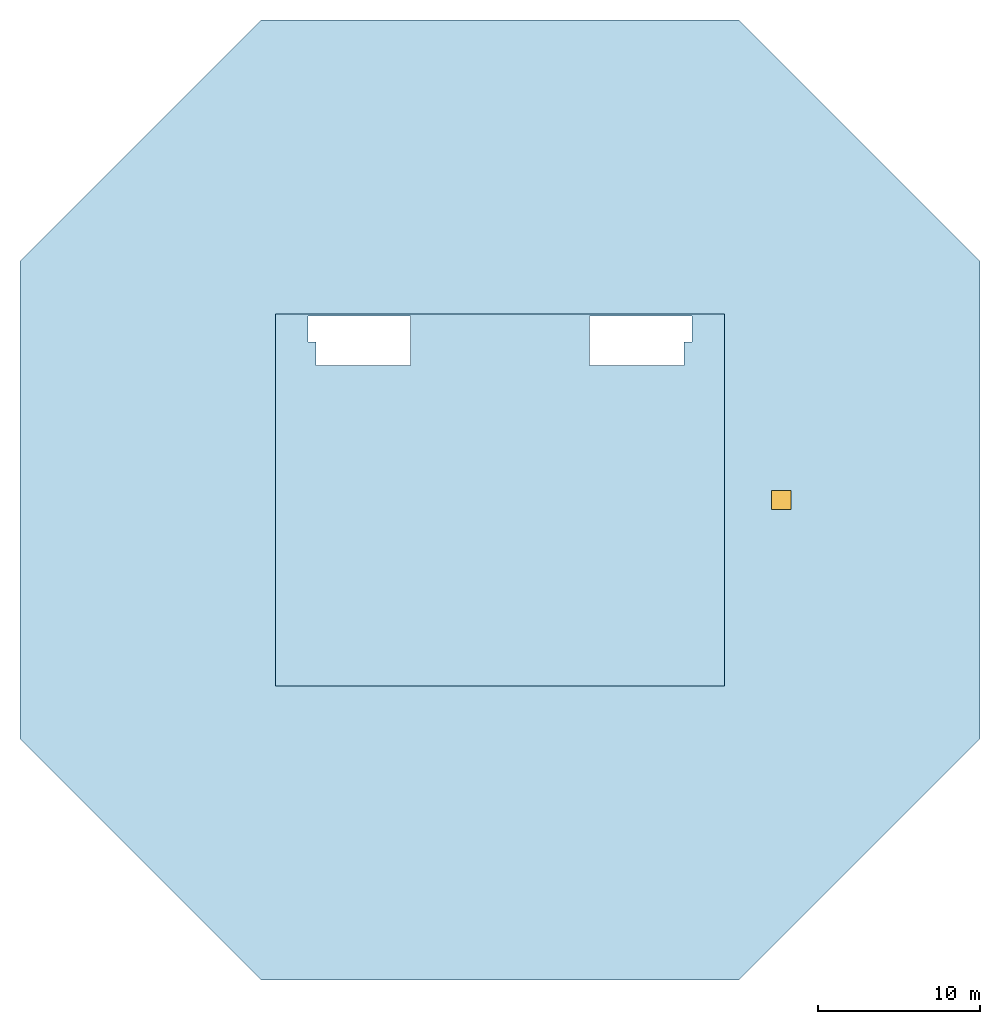
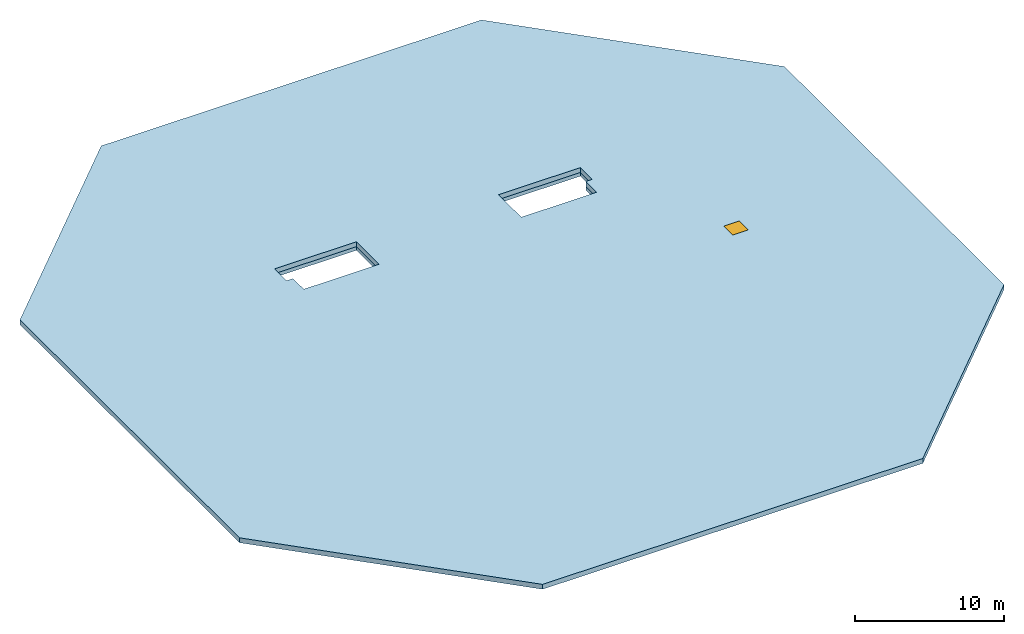
"""IFC4 building model written with IfcOpenShell, lengths in metres."""

from ifc_helpers import new_model, si_unit, direction, frame, origin, origin_2d, place, context, subcontext, project, spatial, polyline, rectangle, outline, extrude, material, layer, layer_set, type_object, element, fill, save


model = new_model("IFC4")

# Units and contexts
model_context = context("Model", 3, precision=1e-05, world=origin(), true_north=direction((0.0, 1.0)))
body_context = subcontext(model_context, "Body", "Model", "MODEL_VIEW")
ifc_project = project(units=[si_unit("LENGTHUNIT", "METRE"), si_unit("AREAUNIT", "SQUARE_METRE"), si_unit("VOLUMEUNIT", "CUBIC_METRE"), si_unit("PLANEANGLEUNIT", "RADIAN"), si_unit("MASSUNIT", "GRAM", prefix="KILO")], contexts=[model_context])

# Site, building, storey
site_placement = place(None, origin())
site = spatial("IfcSite", under=ifc_project, at=site_placement, CompositionType="ELEMENT")
building_placement = place(site_placement, origin())
building = spatial("IfcBuilding", under=site, at=building_placement, Name="Msitu Wima Residences", CompositionType="ELEMENT")
storey_1_placement = place(building_placement, frame((0.0, 0.0, 327.10009765625)))
storey_1 = spatial("IfcBuildingStorey", under=building, at=storey_1_placement, Name="ROOF", CompositionType="ELEMENT", Elevation=327.10009765625)

# Slab, opening
ifc_material_1 = material(Name="Concrete C40/50", Category="concrete")
ifc_layer_1 = layer(ifc_material_1, 0.39990234375)
ifc_layer_set_1 = layer_set([ifc_layer_1], Name="Concrete C40/50")
slab_type_1 = type_object("IfcSlabType", Name="Canopy roof slab CR400", PredefinedType="ROOF", material=ifc_layer_set_1)
slab_1_placement = place(storey_1_placement, frame((0.0, 0.0, -0.400146484375)))
slab_1 = element("IfcSlab", 1, at=slab_1_placement, inside=storey_1, type_object=slab_type_1, Name="Canopy roof", PredefinedType="ROOF", context=body_context, shape_type="SweptSolid", body=[
    extrude(outline(polyline([(14.772705078125, -29.699951171875), (-14.772705078125, -29.699951171875), (-29.699951171875, -14.772705078125), (-29.699951171875, 14.772705078125), (-14.772705078125, 29.699951171875), (14.772705078125, 29.699951171875), (29.699951171875, 14.772705078125), (29.699951171875, -14.772705078125), (14.772705078125, -29.699951171875)]), holes=[polyline([(-11.87451171875, 11.375), (-11.87451171875, 9.77490234375), (-11.375, 9.77490234375), (-11.375, 8.324951171875), (-5.52490234375, 8.324951171875), (-5.52490234375, 11.375), (-11.87451171875, 11.375)]), polyline([(5.52490234375, 8.324951171875), (11.375, 8.324951171875), (11.375, 9.77490234375), (11.87451171875, 9.77490234375), (11.87451171875, 11.375), (5.52490234375, 11.375), (5.52490234375, 8.324951171875)])]), origin(), (0.0, 0.0, 1.0), 0.400146484375),
])
opening_placement = place(slab_1_placement, frame((17.39990234375, 0.0, 0.0)))
opening = element("IfcOpeningElement", 2, at=opening_placement, cuts=slab_1, Name="Opening H1", PredefinedType="OPENING", context=body_context, shape_type="SweptSolid", body=[
    extrude(rectangle(XDim=1.199951171875, YDim=1.199951171875, at=origin_2d()), origin(), (0.0, 0.0, 1.0), 0.400146484375),
])

# Storey
storey_2_placement = place(building_placement, frame((0.0, 0.0, 320.10009765625)))
storey_2 = spatial("IfcBuildingStorey", under=building, at=storey_2_placement, Name="L74", CompositionType="ELEMENT", Elevation=320.10009765625)

# Window
ifc_material_2 = material(Name="Galvanised steel insulated hatch", Category="steel")
window_type = type_object("IfcWindowType", Name="Roof access hatch H1200", PartitioningType="SINGLE_PANEL", PredefinedType="SKYLIGHT", material=ifc_material_2)
window_placement = place(opening_placement, frame((0.0, 0.0, 0.35009765625)))
window = element("IfcWindow", 3, at=window_placement, inside=storey_2, type_object=window_type, Name="Roof access hatch", OverallHeight=1.199951171875, OverallWidth=1.199951171875, PartitioningType="SINGLE_PANEL", PredefinedType="SKYLIGHT", context=body_context, shape_type="SweptSolid", body=[
    extrude(rectangle(XDim=1.199951171875, YDim=1.199951171875, at=origin_2d()), origin(), (0.0, 0.0, 1.0), 0.050048828125),
])

fill(opening, window)

# Slab
ifc_material_3 = material(Name="Concrete C50/60", Category="concrete")
ifc_layer_2 = layer(ifc_material_3, 0.300048828125)
ifc_layer_set_2 = layer_set([ifc_layer_2], Name="Concrete C50/60")
slab_type_2 = type_object("IfcSlabType", Name="Core roof CR300", PredefinedType="ROOF", material=ifc_layer_set_2)
slab_2_placement = place(storey_1_placement, frame((0.0, 0.0, -0.7001953125)))
element("IfcSlab", 4, at=slab_2_placement, inside=storey_1, type_object=slab_type_2, Name="Core roof", PredefinedType="ROOF", context=body_context, shape_type="SweptSolid", body=[
    extrude(outline(polyline([(-13.89990234375, -11.5), (13.89990234375, -11.5), (13.89990234375, 11.5), (-13.89990234375, 11.5), (-13.89990234375, -11.5)]), holes=[polyline([(-11.87451171875, 11.375), (-5.52490234375, 11.375), (-5.52490234375, 8.324951171875), (-11.375, 8.324951171875), (-11.375, 9.77490234375), (-11.87451171875, 9.77490234375), (-11.87451171875, 11.375)]), polyline([(5.52490234375, 8.324951171875), (5.52490234375, 11.375), (11.87451171875, 11.375), (11.87451171875, 9.77490234375), (11.375, 9.77490234375), (11.375, 8.324951171875), (5.52490234375, 8.324951171875)])]), origin(), (0.0, 0.0, 1.0), 0.300048828125),
])

save(model, "model.ifc")
